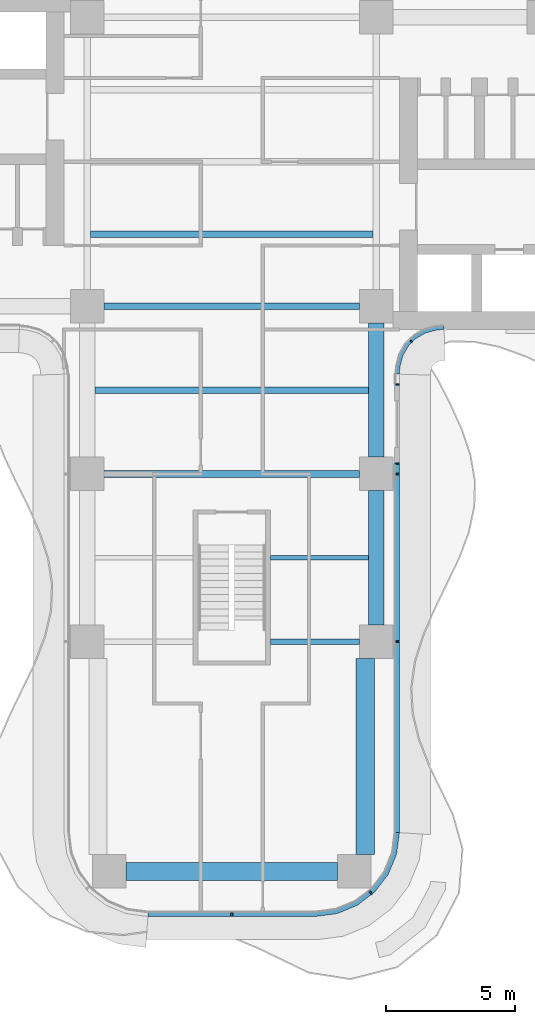
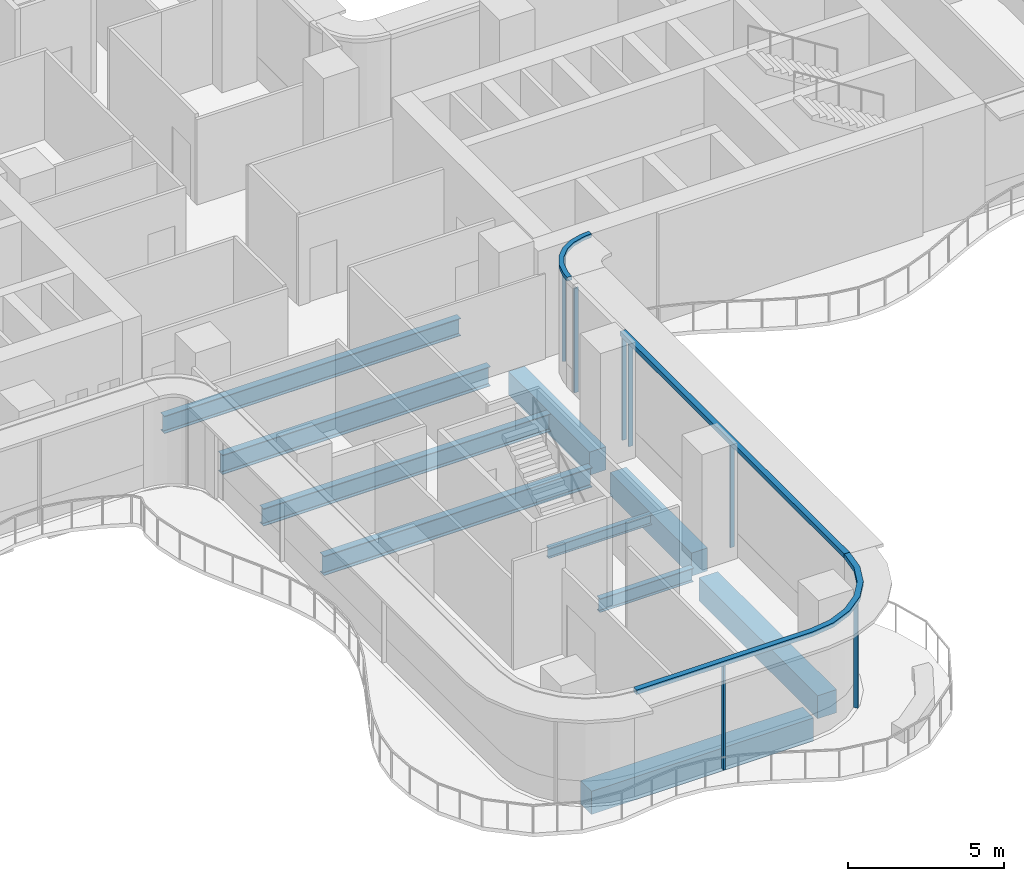
# One storey, part 5 of 23: 10 beams, 10 members, 4 elements without a shape of their own.
"""IFC4 building model written with IfcOpenShell, lengths in metres."""

from ifc_helpers import new_model, si_unit, direction, frame, origin, origin_2d, place, context, subcontext, project, spatial, polyline, rectangle, i_section, outline, extrude, source, transform, mapped, material, layer, layer_set, material_profile, profile_set, type_object, element, aggregate, save


model = new_model("IFC4")

# Units and contexts
model_context = context("Model", 3, precision=1e-05, world=origin(), true_north=direction((0.0, 1.0)))
body_context = subcontext(model_context, "Body", "Model", "MODEL_VIEW")
ifc_project = project(units=[si_unit("LENGTHUNIT", "METRE"), si_unit("AREAUNIT", "SQUARE_METRE"), si_unit("VOLUMEUNIT", "CUBIC_METRE"), si_unit("PLANEANGLEUNIT", "RADIAN"), si_unit("MASSUNIT", "GRAM", prefix="KILO")], contexts=[model_context])

# Site, building, storey
site_placement = place(None, origin())
site = spatial("IfcSite", under=ifc_project, at=site_placement, CompositionType="ELEMENT")
building_placement = place(site_placement, origin())
building = spatial("IfcBuilding", under=site, at=building_placement, Name="Trellis Farm Tower", CompositionType="ELEMENT")
storey_placement = place(building_placement, frame((0.0, 0.0, 120.0)))
storey = spatial("IfcBuildingStorey", under=building, at=storey_placement, Name="L25", CompositionType="ELEMENT", Elevation=120.0)

# Beams
ifc_material_1 = material(Name="Steel S355", Category="steel")
ifc_material_profile_1 = material_profile(ifc_material_1, i_section(OverallWidth=0.253662109375, OverallDepth=0.68359375, WebThickness=0.012451171875, FlangeThickness=0.021728515625, FilletRadius=0.01513671875, at=origin_2d()), Name="UB 686x254x140")
ifc_profile_set_1 = profile_set([ifc_material_profile_1], Name="Steel S355")
beam_type_1 = type_object("IfcBeamType", Name="UB 686x254x140 joist", PredefinedType="JOIST", material=ifc_profile_set_1)
shared_shape_1 = source(origin(), body_context, "Body", "SweptSolid", [
    extrude(i_section(OverallWidth=0.253662109375, OverallDepth=0.68359375, WebThickness=0.012451171875, FlangeThickness=0.021728515625, FilletRadius=0.01513671875, at=origin_2d()), origin(), (0.0, 0.0, 1.0), 10.93310546875),
])
beam_1_placement = place(storey_placement, frame((-5.466552734375, -2.800048828125, -0.591796875), z_axis=(1.0, 0.0, 0.0), x_axis=(0.0, 1.0, 0.0)))
element("IfcBeam", 1, at=beam_1_placement, inside=storey, type_object=beam_type_1, Name="Floor beam", PredefinedType="JOIST", context=body_context, shape_type="MappedRepresentation", body=[
    mapped(shared_shape_1, transform((0.0, 0.0, 0.0))),
])
ifc_material_profile_2 = material_profile(ifc_material_1, i_section(OverallWidth=0.177978515625, OverallDepth=0.406494140625, WebThickness=0.0078125, FlangeThickness=0.0126953125, FilletRadius=0.01025390625, at=origin_2d()), Name="UB 406x178x60")
ifc_profile_set_2 = profile_set([ifc_material_profile_2], Name="Steel S355")
beam_type_2 = type_object("IfcBeamType", Name="UB 406x178x60 joist", PredefinedType="JOIST", material=ifc_profile_set_2)
shared_shape_2 = source(origin(), body_context, "Body", "SweptSolid", [
    extrude(i_section(OverallWidth=0.177978515625, OverallDepth=0.406494140625, WebThickness=0.0078125, FlangeThickness=0.0126953125, FilletRadius=0.01025390625, at=origin_2d()), origin(), (0.0, 0.0, 1.0), 3.800048828125),
])
beam_2_placement = place(storey_placement, frame((1.5, -15.35009765625, -0.453125), z_axis=(1.0, 0.0, 0.0), x_axis=(0.0, 1.0, 0.0)))
element("IfcBeam", 2, at=beam_2_placement, inside=storey, type_object=beam_type_2, Name="Floor beam", PredefinedType="JOIST", context=body_context, shape_type="MappedRepresentation", body=[
    mapped(shared_shape_2, transform((0.0, 0.0, 0.0))),
])
shared_shape_3 = source(origin(), body_context, "Body", "SweptSolid", [
    extrude(i_section(OverallWidth=0.253662109375, OverallDepth=0.68359375, WebThickness=0.012451171875, FlangeThickness=0.021728515625, FilletRadius=0.01513671875, at=origin_2d()), origin(), (0.0, 0.0, 1.0), 10.60009765625),
])
beam_3_placement = place(storey_placement, frame((-5.300048828125, -8.85009765625, -0.591796875), z_axis=(1.0, 0.0, 0.0), x_axis=(0.0, 1.0, 0.0)))
element("IfcBeam", 3, at=beam_3_placement, inside=storey, type_object=beam_type_1, Name="Floor beam", PredefinedType="JOIST", context=body_context, shape_type="MappedRepresentation", body=[
    mapped(shared_shape_3, transform((0.0, 0.0, 0.0))),
])
ifc_material_profile_3 = material_profile(ifc_material_1, i_section(OverallWidth=0.209228515625, OverallDepth=0.533203125, WebThickness=0.010009765625, FlangeThickness=0.015625, FilletRadius=0.0126953125, at=origin_2d()), Name="UB 533x210x92")
ifc_profile_set_3 = profile_set([ifc_material_profile_3], Name="Steel S355")
beam_type_3 = type_object("IfcBeamType", Name="UB 533x210x92", PredefinedType="BEAM", material=ifc_profile_set_3)
shared_shape_4 = source(origin(), body_context, "Body", "SweptSolid", [
    extrude(i_section(OverallWidth=0.209228515625, OverallDepth=0.533203125, WebThickness=0.010009765625, FlangeThickness=0.015625, FilletRadius=0.0126953125, at=origin_2d()), origin(), (0.0, 0.0, 1.0), 3.449951171875),
])
beam_4_placement = place(storey_placement, frame((1.5, -18.60009765625, -0.5166015625), z_axis=(1.0, 0.0, 0.0), x_axis=(0.0, 1.0, 0.0)))
element("IfcBeam", 4, at=beam_4_placement, inside=storey, type_object=beam_type_3, Name="Girder", PredefinedType="BEAM", context=body_context, shape_type="MappedRepresentation", body=[
    mapped(shared_shape_4, transform((0.0, 0.0, 0.0))),
])
ifc_material_profile_4 = material_profile(ifc_material_1, i_section(OverallWidth=0.2666015625, OverallDepth=0.76220703125, WebThickness=0.014404296875, FlangeThickness=0.021484375, FilletRadius=0.0166015625, at=origin_2d()), Name="UB 762x267x173")
ifc_profile_set_4 = profile_set([ifc_material_profile_4], Name="Steel S355")
beam_type_4 = type_object("IfcBeamType", Name="UB 762x267x173", PredefinedType="BEAM", material=ifc_profile_set_4)
shared_shape_5 = source(origin(), body_context, "Body", "SweptSolid", [
    extrude(i_section(OverallWidth=0.2666015625, OverallDepth=0.76220703125, WebThickness=0.014404296875, FlangeThickness=0.021484375, FilletRadius=0.0166015625, at=origin_2d()), origin(), (0.0, 0.0, 1.0), 9.89990234375),
])
for number, where, z_axis, x_axis, name in (
    (5, (-4.949951171875, -12.10009765625, -0.631103515625), (1.0, 0.0, 0.0), (0.0, 1.0, 0.0), "Girder"),
    (6, (-4.949951171875, -5.60009765625, -0.631103515625), (1.0, 0.0, 0.0), (0.0, 1.0, 0.0), "Girder"),
):
    element("IfcBeam", number, at=place(storey_placement, frame(where, z_axis=z_axis, x_axis=x_axis)), inside=storey, type_object=beam_type_4, Name=name, PredefinedType="BEAM", context=body_context, shape_type="MappedRepresentation", body=[
        mapped(shared_shape_5, transform((0.0, 0.0, 0.0))),
    ])
ifc_material_2 = material(Name="Concrete C60/75", Category="concrete")
ifc_material_profile_5 = material_profile(ifc_material_2, rectangle(XDim=0.60009765625, YDim=0.89990234375, at=origin_2d()), Name="RC spandrel beam 600x900 C60/75")
ifc_profile_set_5 = profile_set([ifc_material_profile_5], Name="Concrete C60/75")
beam_type_5 = type_object("IfcBeamType", Name="RC spandrel beam 600x900 C60/75", PredefinedType="SPANDREL", material=ifc_profile_set_5)
shared_shape_6 = source(origin(), body_context, "Body", "SweptSolid", [
    extrude(rectangle(XDim=0.60009765625, YDim=0.89990234375, at=origin_2d()), origin(), (0.0, 0.0, 1.0), 5.199951171875),
])
for number, where, z_axis, x_axis, name in (
    (7, (5.60009765625, -17.949951171875, -0.699951171875), (0.0, 1.0, 0.0), (-1.0, 0.0, 0.0), "Girder"),
    (8, (5.60009765625, -11.449951171875, -0.699951171875), (0.0, 1.0, 0.0), (-1.0, 0.0, 0.0), "Girder"),
):
    element("IfcBeam", number, at=place(storey_placement, frame(where, z_axis=z_axis, x_axis=x_axis)), inside=storey, type_object=beam_type_5, Name=name, PredefinedType="SPANDREL", context=body_context, shape_type="MappedRepresentation", body=[
        mapped(shared_shape_6, transform((0.0, 0.0, 0.0))),
    ])
ifc_material_profile_6 = material_profile(ifc_material_2, rectangle(XDim=0.699951171875, YDim=0.89990234375, at=origin_2d()), Name="RC spandrel beam 700x900 C60/75")
ifc_profile_set_6 = profile_set([ifc_material_profile_6], Name="Concrete C60/75")
beam_type_6 = type_object("IfcBeamType", Name="RC spandrel beam 700x900 C60/75", PredefinedType="SPANDREL", material=ifc_profile_set_6)
shared_shape_7 = source(origin(), body_context, "Body", "SweptSolid", [
    extrude(rectangle(XDim=0.699951171875, YDim=0.89990234375, at=origin_2d()), origin(), (0.0, 0.0, 1.0), 8.2001953125),
])
beam_5_placement = place(storey_placement, frame((-4.10009765625, -27.5, -0.699951171875), z_axis=(1.0, 0.0, 0.0), x_axis=(0.0, 1.0, 0.0)))
element("IfcBeam", 9, at=beam_5_placement, inside=storey, type_object=beam_type_6, Name="Girder", PredefinedType="SPANDREL", context=body_context, shape_type="MappedRepresentation", body=[
    mapped(shared_shape_7, transform((0.0, 0.0, 0.0))),
])
shared_shape_8 = source(origin(), body_context, "Body", "SweptSolid", [
    extrude(rectangle(XDim=0.699951171875, YDim=0.89990234375, at=origin_2d()), origin(), (0.0, 0.0, 1.0), 7.60009765625),
])
beam_6_placement = place(storey_placement, frame((5.175048828125, -26.85009765625, -0.699951171875), z_axis=(0.0, 1.0, 0.0), x_axis=(-1.0, 0.0, 0.0)))
element("IfcBeam", 10, at=beam_6_placement, inside=storey, type_object=beam_type_6, Name="Girder", PredefinedType="SPANDREL", context=body_context, shape_type="MappedRepresentation", body=[
    mapped(shared_shape_8, transform((0.0, 0.0, 0.0))),
])

# Curtain wall, members
ifc_material_3 = material(Name="Aluminium and glass curtain wall", Category="aluminium")
ifc_layer_1 = layer(ifc_material_3, 0.18994140625)
ifc_layer_set_1 = layer_set([ifc_layer_1], Name="RIBBON CURTAIN WALL CW1")
curtain_wall_type_1 = type_object("IfcCurtainWallType", Name="RIBBON CURTAIN WALL CW1", PredefinedType="NOTDEFINED", material=ifc_layer_set_1)
placement_1 = place(storey_placement, origin())
curtain_wall_1 = element("IfcCurtainWall", 11, at=placement_1, inside=storey, type_object=curtain_wall_type_1, Name="CW1 003", PredefinedType="NOTDEFINED")
ifc_material_4 = material(Name="Aluminium extrusion 6063-T6", Category="aluminium")
ifc_material_profile_7 = material_profile(ifc_material_4, rectangle(XDim=0.06005859375, YDim=0.14990234375, at=origin_2d()), Name="MULLION 60x150")
ifc_profile_set_7 = profile_set([ifc_material_profile_7], Name="Aluminium extrusion 6063-T6")
member_type_1 = type_object("IfcMemberType", Name="CW1 MULLION 60x150", PredefinedType="MULLION", material=ifc_profile_set_7)
shared_shape_9 = source(origin(), body_context, "Body", "SweptSolid", [
    extrude(rectangle(XDim=0.06005859375, YDim=0.14990234375, at=origin_2d()), origin(), (0.0, 0.0, 1.0), 4.070068359375),
])
member_1_placement = place(storey_placement, frame((0.0, -29.175048828125, 0.0), z_axis=(0.0, 0.0, 1.0), x_axis=(1.0, 0.0, 0.0)))
member_1 = element("IfcMember", 12, at=member_1_placement, type_object=member_type_1, Name="MU1 003-01", PredefinedType="MULLION", context=body_context, shape_type="MappedRepresentation", body=[
    mapped(shared_shape_9, transform((0.0, 0.0, 0.0))),
])
member_2_placement = place(storey_placement, frame((5.385498046875, -28.328369140625, 0.0), z_axis=(0.0, 0.0, 1.0), x_axis=(0.793353340291, 0.608761429009, 0.0)))
member_2 = element("IfcMember", 13, at=member_2_placement, type_object=member_type_1, Name="MU1 003-02", PredefinedType="MULLION", context=body_context, shape_type="MappedRepresentation", body=[
    mapped(shared_shape_9, transform((0.0, 0.0, 0.0))),
])

curtain_wall_2 = element("IfcCurtainWall", 14, at=placement_1, inside=storey, type_object=curtain_wall_type_1, Name="CW1 004", PredefinedType="NOTDEFINED")
member_3_placement = place(storey_placement, frame((6.425048828125, -18.60009765625, 0.0), z_axis=(0.0, 0.0, 1.0), x_axis=(0.0, 1.0, 0.0)))
member_3 = element("IfcMember", 15, at=member_3_placement, type_object=member_type_1, Name="MU1 004-01", PredefinedType="MULLION", context=body_context, shape_type="MappedRepresentation", body=[
    mapped(shared_shape_9, transform((0.0, 0.0, 0.0))),
])
member_4_placement = place(storey_placement, frame((6.425048828125, -12.10009765625, 0.0), z_axis=(0.0, 0.0, 1.0), x_axis=(0.0, 1.0, 0.0)))
member_4 = element("IfcMember", 16, at=member_4_placement, type_object=member_type_1, Name="MU1 004-02", PredefinedType="MULLION", context=body_context, shape_type="MappedRepresentation", body=[
    mapped(shared_shape_9, transform((0.0, 0.0, 0.0))),
])
member_5_placement = place(storey_placement, frame((6.425048828125, -11.69580078125, 0.0), z_axis=(0.0, 0.0, 1.0), x_axis=(0.0, 1.0, 0.0)))
member_5 = element("IfcMember", 17, at=member_5_placement, type_object=member_type_1, Name="MU1 004-03", PredefinedType="MULLION", context=body_context, shape_type="MappedRepresentation", body=[
    mapped(shared_shape_9, transform((0.0, 0.0, 0.0))),
])

# Curtain wall, member
curtain_wall_3 = element("IfcCurtainWall", 18, at=placement_1, inside=storey, type_object=curtain_wall_type_1, Name="CW1 005", PredefinedType="NOTDEFINED")
member_6_placement = place(storey_placement, frame((6.425048828125, -8.6357421875, 0.0), z_axis=(0.0, 0.0, 1.0), x_axis=(0.0, 1.0, 0.0)))
member_6 = element("IfcMember", 19, at=member_6_placement, type_object=member_type_1, Name="MU1 005-01", PredefinedType="MULLION", context=body_context, shape_type="MappedRepresentation", body=[
    mapped(shared_shape_9, transform((0.0, 0.0, 0.0))),
])
aggregate(curtain_wall_3, [member_6])

ifc_layer_2 = layer(ifc_material_3, 0.166015625)
ifc_layer_set_2 = layer_set([ifc_layer_2], Name="WINTER GARDEN CURTAIN WALL CW3")
curtain_wall_type_2 = type_object("IfcCurtainWallType", Name="WINTER GARDEN CURTAIN WALL CW3", PredefinedType="NOTDEFINED", material=ifc_layer_set_2)
curtain_wall_4 = element("IfcCurtainWall", 20, at=placement_1, inside=storey, type_object=curtain_wall_type_2, Name="CW3 002", PredefinedType="NOTDEFINED")
ifc_material_profile_8 = material_profile(ifc_material_4, rectangle(XDim=0.050048828125, YDim=0.1201171875, at=origin_2d()), Name="MULLION 50x120")
ifc_profile_set_8 = profile_set([ifc_material_profile_8], Name="Aluminium extrusion 6063-T6")
member_type_2 = type_object("IfcMemberType", Name="CW3 MULLION 50x120", PredefinedType="MULLION", material=ifc_profile_set_8)
shared_shape_10 = source(origin(), body_context, "Body", "SweptSolid", [
    extrude(rectangle(XDim=0.050048828125, YDim=0.1201171875, at=origin_2d()), origin(), (0.0, 0.0, 1.0), 4.10009765625),
])
member_7_placement = place(storey_placement, frame((6.953125, -6.953125, 0.0), z_axis=(0.0, 0.0, 1.0), x_axis=(0.707106781187, 0.707106781187, 0.0)))
member_7 = element("IfcMember", 21, at=member_7_placement, type_object=member_type_2, Name="MU3 002-01", PredefinedType="MULLION", context=body_context, shape_type="MappedRepresentation", body=[
    mapped(shared_shape_10, transform((0.0, 0.0, 0.0))),
])

# Member
ifc_layer_3 = layer(ifc_material_4, 0.199951171875)
ifc_layer_set_3 = layer_set([ifc_layer_3], Name="Aluminium extrusion 6063-T6")
member_type_3 = type_object("IfcMemberType", Name="CW1 TRANSOM 200x180", PredefinedType="USERDEFINED", material=ifc_layer_set_3)
shared_shape_11 = source(origin(), body_context, "Body", "SweptSolid", [
    extrude(outline(polyline([(-3.25, -29.25), (3.25, -29.25), (4.091064453125, -29.13916015625), (4.875, -28.814697265625), (5.548095703125, -28.298095703125), (6.064697265625, -27.625), (6.38916015625, -26.841064453125), (6.5, -26.0), (6.300048828125, -25.98681640625), (6.1943359375, -26.7890625), (5.889892578125, -27.524169921875), (5.405517578125, -28.155517578125), (4.774169921875, -28.639892578125), (4.0390625, -28.9443359375), (3.23681640625, -29.050048828125), (-3.23681640625, -29.050048828125), (-3.25, -29.25)])), origin(), (0.0, 0.0, 1.0), 0.179931640625),
])
placement_2 = place(storey_placement, frame((0.0, 0.0, 4.070068359375)))
member_8 = element("IfcMember", 22, at=placement_2, type_object=member_type_3, Name="TR1 003", ObjectType="TRANSOM", PredefinedType="USERDEFINED", context=body_context, shape_type="MappedRepresentation", body=[
    mapped(shared_shape_11, transform((0.0, 0.0, 0.0))),
])

aggregate(curtain_wall_1, [member_1, member_2, member_8])

ifc_layer_4 = layer(ifc_material_4, 0.169921875)
ifc_layer_set_4 = layer_set([ifc_layer_4], Name="Aluminium extrusion 6063-T6")
member_type_4 = type_object("IfcMemberType", Name="CW3 TRANSOM 170x150", PredefinedType="USERDEFINED", material=ifc_layer_set_4)
shared_shape_12 = source(origin(), body_context, "Body", "SweptSolid", [
    extrude(outline(polyline([(6.5, -8.2314453125), (6.513916015625, -8.01953125), (6.527587890625, -7.91552734375), (6.63671875, -7.508544921875), (6.846923828125, -7.144287109375), (7.144287109375, -6.846923828125), (7.508544921875, -6.63671875), (7.91552734375, -6.527587890625), (8.01953125, -6.513916015625), (8.2314453125, -6.5), (8.225830078125, -6.330078125), (8.0029296875, -6.3447265625), (7.88232421875, -6.360595703125), (7.44287109375, -6.478271484375), (7.0400390625, -6.7109375), (6.7109375, -7.0400390625), (6.478271484375, -7.44287109375), (6.360595703125, -7.88232421875), (6.3447265625, -8.0029296875), (6.330078125, -8.225830078125), (6.5, -8.2314453125)])), origin(), (0.0, 0.0, 1.0), 0.14990234375),
])
member_9_placement = place(storey_placement, frame((0.0, 0.0, 4.10009765625)))
member_9 = element("IfcMember", 23, at=member_9_placement, type_object=member_type_4, Name="TR3 002", ObjectType="TRANSOM", PredefinedType="USERDEFINED", context=body_context, shape_type="MappedRepresentation", body=[
    mapped(shared_shape_12, transform((0.0, 0.0, 0.0))),
])

aggregate(curtain_wall_4, [member_7, member_9])

shared_shape_13 = source(origin(), body_context, "Body", "SweptSolid", [
    extrude(outline(polyline([(6.5, -26.0), (6.5, -11.665771484375), (6.300048828125, -11.665771484375), (6.300048828125, -25.98681640625), (6.5, -26.0)])), origin(), (0.0, 0.0, 1.0), 0.179931640625),
])
member_10 = element("IfcMember", 24, at=placement_2, type_object=member_type_3, Name="TR1 004", ObjectType="TRANSOM", PredefinedType="USERDEFINED", context=body_context, shape_type="MappedRepresentation", body=[
    mapped(shared_shape_13, transform((0.0, 0.0, 0.0))),
])

aggregate(curtain_wall_2, [member_3, member_4, member_5, member_10])

save(model, "model.ifc")
